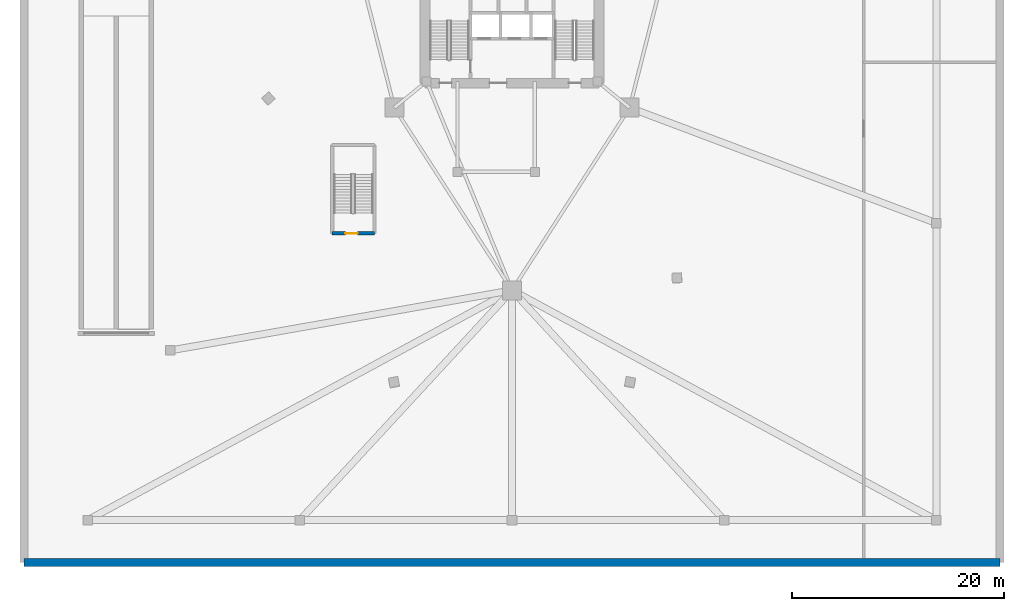
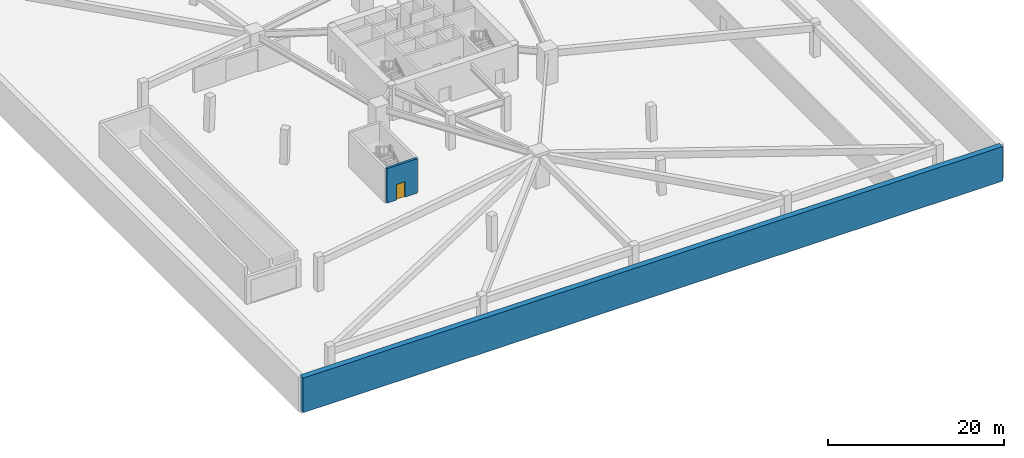
# One storey, part 3 of 7: 2 walls, 1 door, 1 opening.
"""IFC4 building model written with IfcOpenShell, lengths in metres."""

import ifcopenshell
import ifcopenshell.guid

model = None  # the IFC model being written
_history = None  # IfcOwnerHistory: only IFC2X3 demands one
_inside = {}  # id of a spatial element -> (the spatial element, [elements in it])
_under = {}  # id of a project, library or spatial element -> (it, [spatial elements below it])
_declared = {}  # id of a project -> (the project, [libraries it declares])
_typed = {}  # id of a type object -> (the type object, [elements of that type])
_made_of = {}  # id of a material, layer set ... -> (it, [elements and type objects made of it])


def new_model(schema):
    """Start an empty IFC model of exactly this schema.

    Asked for "IFC4X3", IfcOpenShell would pick the latest addendum, in which some entities
    have other attributes; the version numbers below select the first issue.
    IFC2X3 requires an IfcOwnerHistory on every rooted entity: one is made here for all.
    """
    global model, _history
    if schema == "IFC4X3":
        model = ifcopenshell.file(schema_version=(4, 3, 0, 0))
    else:
        model = ifcopenshell.file(schema=schema)
    _inside.clear()
    _under.clear()
    _declared.clear()
    _typed.clear()
    _made_of.clear()
    _history = None
    if model.schema == "IFC2X3":
        org = make("IfcOrganization", Name="unknown")
        user = make(
            "IfcPersonAndOrganization",
            ThePerson=make("IfcPerson", FamilyName="unknown"),
            TheOrganization=org,
        )
        app = make(
            "IfcApplication",
            ApplicationDeveloper=org,
            Version="unknown",
            ApplicationFullName="unknown",
            ApplicationIdentifier="unknown",
        )
        _history = make(
            "IfcOwnerHistory",
            OwningUser=user,
            OwningApplication=app,
            ChangeAction="ADDED",
            CreationDate=0,
        )
    return model


def make(cls, **values):
    """One entity of the class cls with the attributes given. An attribute that is None is left unset."""
    return model.create_entity(
        cls, **{name: value for name, value in values.items() if value is not None}
    )


def rooted(cls, **values):
    """An entity with a GlobalId (a new one), such as an element, a storey or a relation."""
    return make(cls, GlobalId=ifcopenshell.guid.new(), OwnerHistory=_history, **values)


def si_unit(unit_type, name, prefix=None):
    """IfcSIUnit, for example si_unit("LENGTHUNIT", "METRE", prefix="MILLI")."""
    return make("IfcSIUnit", UnitType=unit_type, Prefix=prefix, Name=name)


def assignment(units):
    """IfcUnitAssignment: the units of a project."""
    return None if units is None else make("IfcUnitAssignment", Units=units)


def point(xyz):
    """IfcCartesianPoint."""
    return None if xyz is None else make("IfcCartesianPoint", Coordinates=xyz)


def direction(xyz):
    """IfcDirection."""
    return None if xyz is None else make("IfcDirection", DirectionRatios=xyz)


def frame(location, z_axis=None, x_axis=None):
    """IfcAxis2Placement3D, a coordinate frame: its origin and axes. An axis left out is left unset."""
    return make(
        "IfcAxis2Placement3D",
        Location=point(location),
        Axis=direction(z_axis),
        RefDirection=direction(x_axis),
    )


def frame_2d(location, x_axis=None):
    """IfcAxis2Placement2D, a coordinate frame in the plane: its origin and x axis."""
    return make(
        "IfcAxis2Placement2D", Location=point(location), RefDirection=direction(x_axis)
    )


def origin():
    """The frame at (0, 0, 0) with its axes left unset."""
    return frame((0.0, 0.0, 0.0))


def place(relative_to, where):
    """IfcLocalPlacement: puts the frame where relative to a parent placement (None: the world)."""
    return make(
        "IfcLocalPlacement", PlacementRelTo=relative_to, RelativePlacement=where
    )


def context(
    kind, dimensions, precision=None, world=None, true_north=None, identifier=None
):
    """IfcGeometricRepresentationContext, for example the 3D "Model" context."""
    return make(
        "IfcGeometricRepresentationContext",
        ContextIdentifier=identifier,
        ContextType=kind,
        CoordinateSpaceDimension=dimensions,
        Precision=precision,
        WorldCoordinateSystem=world,
        TrueNorth=true_north,
    )


def subcontext(parent, identifier, kind, view, scale=None):
    """IfcGeometricRepresentationSubContext, for example "Body" below "Model"."""
    return make(
        "IfcGeometricRepresentationSubContext",
        ContextIdentifier=identifier,
        ContextType=kind,
        ParentContext=parent,
        TargetScale=scale,
        TargetView=view,
    )


def project(units=None, contexts=None):
    """IfcProject with its units and contexts."""
    return rooted(
        "IfcProject",
        Name="project",
        RepresentationContexts=contexts,
        UnitsInContext=assignment(units),
    )


def spatial(cls, under=None, at=None, **own):
    """A site, building, storey or space (cls), placed at a placement, below another one or the project."""
    s = rooted(cls, ObjectPlacement=at, **own)
    if under is not None:
        _under.setdefault(under.id(), (under, []))[1].append(s)
    return s


def profile(cls, at=None, kind="AREA", **sizes):
    """A parametric profile (cls). Its sizes go by their IFC names, for example OverallWidth=200.0."""
    return make(cls, ProfileType=kind, Position=at, **sizes)


def rectangle(**sizes):
    """IfcRectangleProfileDef."""
    return profile("IfcRectangleProfileDef", **sizes)


def extrude(swept, where, along, depth):
    """IfcExtrudedAreaSolid: the profile swept, set in the frame where, extruded along a direction by depth."""
    return make(
        "IfcExtrudedAreaSolid",
        SweptArea=swept,
        Position=where,
        ExtrudedDirection=direction(along),
        Depth=depth,
    )


def shape(context_of_items, identifier, shape_type, items):
    """IfcShapeRepresentation: the items that make up one representation, for example the "Body"."""
    return make(
        "IfcShapeRepresentation",
        ContextOfItems=context_of_items,
        RepresentationIdentifier=identifier,
        RepresentationType=shape_type,
        Items=items,
    )


def material(Name=None, Category=None):
    """IfcMaterial."""
    return make("IfcMaterial", Name=Name, Category=Category)


def layer(
    of_material, thickness, ventilated=None, Name=None, Category=None, Priority=None
):
    """IfcMaterialLayer: one layer of a wall or slab, of a material (None: an air gap)."""
    return make(
        "IfcMaterialLayer",
        Material=of_material,
        LayerThickness=thickness,
        IsVentilated=ventilated,
        Name=Name,
        Category=Category,
        Priority=Priority,
    )


def layer_set(layers, Name=None):
    """IfcMaterialLayerSet."""
    return make("IfcMaterialLayerSet", MaterialLayers=layers, LayerSetName=Name)


def made_of(thing, what):
    """Note that an element or type object is made of a material, layer set ...; save() writes the relation."""
    if what is not None:
        _made_of.setdefault(what.id(), (what, []))[1].append(thing)
    return thing


def type_object(cls, material=None, **own):
    """A type object (cls), such as IfcWallType, which elements share."""
    return made_of(rooted(cls, **own), material)


def element(
    cls,
    number,
    at=None,
    inside=None,
    cuts=None,
    type_object=None,
    material=None,
    context=None,
    identifier="Body",
    shape_type=None,
    held_by="IfcProductDefinitionShape",
    body=None,
    shapes=None,
    **own,
):
    """One element of the class cls, such as IfcWall. Its Tag is "e" and its number.

    at: its placement. inside: the storey or other place that contains it. cuts: it is an
    opening in that element (IfcRelVoidsElement). A single representation is given by context,
    identifier, shape_type and body (its items); several are given by shapes. held_by: the class
    of the entity that holds the representations. save() writes the other relations.
    """
    e = rooted(cls, Tag="e%d" % number, ObjectPlacement=at, **own)
    if body is not None:
        shapes = [shape(context, identifier, shape_type, body)]
    if shapes is not None:
        e.Representation = make(held_by, Representations=shapes)
    if inside is not None:
        _inside.setdefault(inside.id(), (inside, []))[1].append(e)
    if cuts is not None:
        rooted(
            "IfcRelVoidsElement", RelatingBuildingElement=cuts, RelatedOpeningElement=e
        )
    if type_object is not None:
        _typed.setdefault(type_object.id(), (type_object, []))[1].append(e)
    return made_of(e, material)


def fill(opening, filler):
    """IfcRelFillsElement: the door or window that sits in an opening."""
    return rooted(
        "IfcRelFillsElement",
        RelatingOpeningElement=opening,
        RelatedBuildingElement=filler,
    )


def aggregate(whole, parts):
    """IfcRelAggregates: a whole, such as a stair, and the parts it consists of."""
    return rooted("IfcRelAggregates", RelatingObject=whole, RelatedObjects=parts)


def save(model, path):
    """Write the relations noted so far, then the file.

    IfcRelAggregates (storeys below a building ...), IfcRelContainedInSpatialStructure (elements
    in a storey), IfcRelDefinesByType, IfcRelAssociatesMaterial and IfcRelDeclares: one each for
    every whole, place, type object, material and project.
    """
    for whole, parts in _under.values():
        aggregate(whole, parts)
    for where, things in _inside.values():
        rooted(
            "IfcRelContainedInSpatialStructure",
            RelatedElements=things,
            RelatingStructure=where,
        )
    for kind, things in _typed.values():
        rooted("IfcRelDefinesByType", RelatedObjects=things, RelatingType=kind)
    for what, things in _made_of.values():
        rooted("IfcRelAssociatesMaterial", RelatedObjects=things, RelatingMaterial=what)
    for by, libraries in _declared.values():
        rooted("IfcRelDeclares", RelatingContext=by, RelatedDefinitions=libraries)
    model.write(path)


model = new_model("IFC4")

# Units and contexts
model_context = context("Model", 3, precision=1e-05, world=origin(), true_north=direction((0.0, 1.0)))
body_context = subcontext(model_context, "Body", "Model", "MODEL_VIEW")
ifc_project = project(units=[si_unit("LENGTHUNIT", "METRE"), si_unit("AREAUNIT", "SQUARE_METRE"), si_unit("VOLUMEUNIT", "CUBIC_METRE"), si_unit("PLANEANGLEUNIT", "RADIAN"), si_unit("MASSUNIT", "GRAM", prefix="KILO")], contexts=[model_context])

# Site, building, storey
site_placement = place(None, origin())
site = spatial("IfcSite", under=ifc_project, at=site_placement, CompositionType="ELEMENT")
building_placement = place(site_placement, origin())
building = spatial("IfcBuilding", under=site, at=building_placement, Name="Talyreon Biosciences Tower", CompositionType="ELEMENT")
storey_placement = place(building_placement, frame((0.0, 0.0, -4.800048828125)))
storey = spatial("IfcBuildingStorey", under=building, at=storey_placement, Name="B1", CompositionType="ELEMENT", Elevation=-4.800048828125)

# Wall
ifc_material_1 = material(Name="Concrete C50/60", Category="concrete")
ifc_layer_1 = layer(ifc_material_1, 0.75)
ifc_layer_set_1 = layer_set([ifc_layer_1], Name="Concrete C50/60")
wall_type_1 = type_object("IfcWallType", Name="BasementRetainingWall_750", PredefinedType="SOLIDWALL", material=ifc_layer_set_1)
wall_1_placement = place(storey_placement, frame((20.0, 16.0, 0.0), z_axis=(0.0, 0.0, 1.0), x_axis=(1.0, 0.0, 0.0)))
element("IfcWall", 1, at=wall_1_placement, inside=storey, type_object=wall_type_1, Name="B1 Watertight Retaining Wall S", PredefinedType="SOLIDWALL", context=body_context, shape_type="SweptSolid", body=[
    extrude(rectangle(XDim=92.0, YDim=0.75, at=frame_2d((46.0, 0.0))), origin(), (0.0, 0.0, 1.0), 4.800048828125),
])

# Wall, opening, door
ifc_layer_2 = layer(ifc_material_1, 0.320068359375)
ifc_layer_set_2 = layer_set([ifc_layer_2], Name="Concrete C50/60")
wall_type_2 = type_object("IfcWallType", Name="CoreShearWall_320", PredefinedType="SHEAR", material=ifc_layer_set_2)
wall_2_placement = place(storey_placement, frame((49.0400390625, 47.0400390625, 0.0), z_axis=(0.0, 0.0, 1.0), x_axis=(1.0, 0.0, 0.0)))
wall_2 = element("IfcWall", 2, at=wall_2_placement, inside=storey, type_object=wall_type_2, Name="B1 Stair ST-3 Structural Wall S", PredefinedType="SHEAR", context=body_context, shape_type="SweptSolid", body=[
    extrude(rectangle(XDim=4.0, YDim=0.320068359375, at=frame_2d((2.0, 0.0))), origin(), (0.0, 0.0, 1.0), 4.800048828125),
])
opening_placement = place(wall_2_placement, frame((1.25, 0.0, 0.0)))
opening = element("IfcOpeningElement", 3, at=opening_placement, cuts=wall_2, Name="Opening DR-B1-ST3", PredefinedType="OPENING", context=body_context, shape_type="SweptSolid", body=[
    extrude(rectangle(XDim=1.14990234375, YDim=2.14990234375, at=frame_2d((0.574951171875, 1.074951171875))), frame((0.0, 0.169921875, 0.0), z_axis=(0.0, -1.0, 0.0), x_axis=(1.0, 0.0, 0.0)), (0.0, 0.0, 1.0), 0.340087890625),
])
ifc_material_2 = material(Name="Painted steel fire door", Category="steel")
door_type = type_object("IfcDoorType", Name="StairShaftFireDoor_1150x2150", OperationType="NOTDEFINED", PredefinedType="DOOR", material=ifc_material_2)
door_placement = place(opening_placement, origin())
door = element("IfcDoor", 4, at=door_placement, inside=storey, type_object=door_type, Name="B1 Core Door DR-B1-ST3", OperationType="SINGLE_SWING_LEFT", OverallHeight=2.14990234375, OverallWidth=1.14990234375, PredefinedType="DOOR", context=body_context, shape_type="SweptSolid", body=[
    extrude(rectangle(XDim=1.14990234375, YDim=2.14990234375, at=frame_2d((0.574951171875, 1.074951171875))), frame((0.0, 0.02490234375, 0.0), z_axis=(0.0, -1.0, 0.0), x_axis=(1.0, 0.0, 0.0)), (0.0, 0.0, 1.0), 0.050048828125),
])
fill(opening, door)

save(model, "model.ifc")
